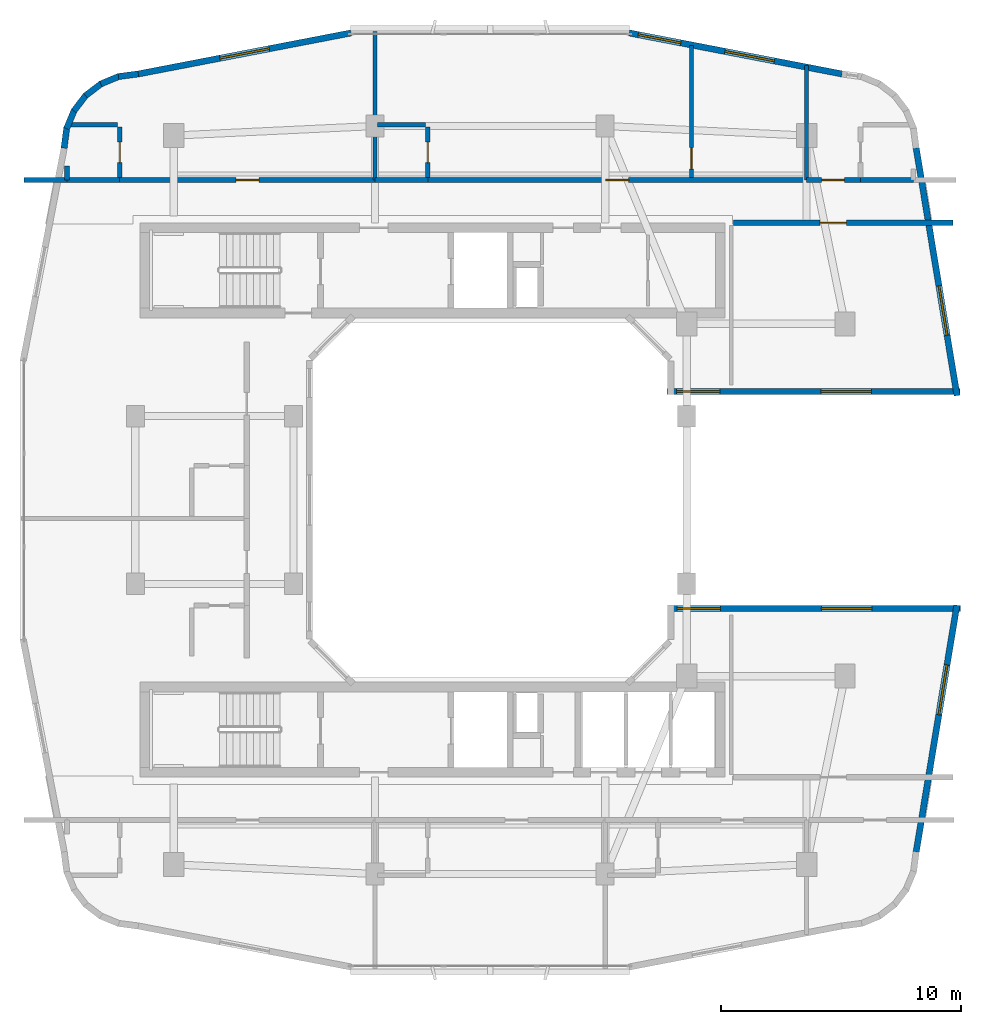
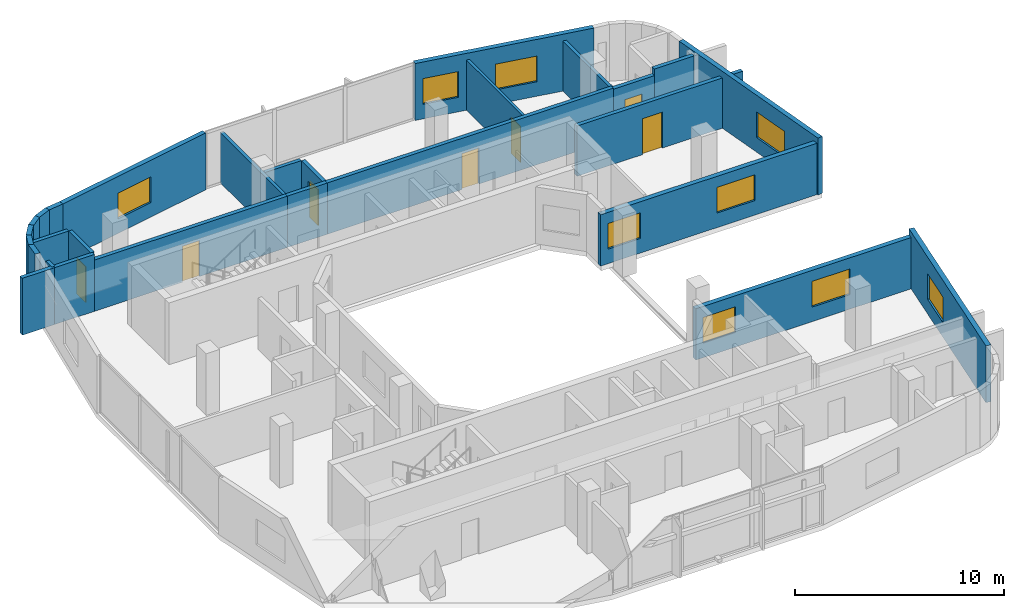
# One storey, part 7 of 12: 28 walls, 9 windows, 7 doors, 16 openings.
"""IFC4 building model written with IfcOpenShell, lengths in metres."""

from ifc_helpers import new_model, si_unit, derived_unit, direction, frame, frame_2d, origin, place, context, subcontext, project, spatial, rectangle, extrude, material, layer, layer_set, type_object, element, fill, save


model = new_model("IFC4")

# Units and contexts
model_context = context("Model", 3, precision=1e-05, world=origin(), true_north=direction((0.0, 1.0)))
body_context = subcontext(model_context, "Body", "Model", "MODEL_VIEW")
ifc_project = project(units=[si_unit("LENGTHUNIT", "METRE"), si_unit("AREAUNIT", "SQUARE_METRE"), si_unit("VOLUMEUNIT", "CUBIC_METRE"), si_unit("PLANEANGLEUNIT", "RADIAN"), si_unit("MASSUNIT", "GRAM", prefix="KILO"), derived_unit("THERMALTRANSMITTANCEUNIT", [(si_unit("POWERUNIT", "WATT"), 1), (si_unit("LENGTHUNIT", "METRE"), -2), (si_unit("THERMODYNAMICTEMPERATUREUNIT", "KELVIN"), -1)])], contexts=[model_context])

# Site, building, storey
site_placement = place(None, origin())
site = spatial("IfcSite", under=ifc_project, at=site_placement, CompositionType="ELEMENT")
building_placement = place(site_placement, origin())
building = spatial("IfcBuilding", under=site, at=building_placement, Name="Kivonza Crest Hotel", CompositionType="ELEMENT")
storey_placement = place(building_placement, frame((0.0, 0.0, 184.699951171875)))
storey = spatial("IfcBuildingStorey", under=building, at=storey_placement, Name="L50", CompositionType="ELEMENT", Elevation=184.699951171875)

# Walls
ifc_material_1 = material(Name="High-density acoustic masonry inter-tenancy wall", Category="masonry")
ifc_layer_1 = layer(ifc_material_1, 0.179931640625)
ifc_layer_set_1 = layer_set([ifc_layer_1], Name="High-density acoustic masonry inter-tenancy wall")
wall_type_1 = type_object("IfcWallType", Name="WL-ACOU-180", PredefinedType="SOLIDWALL", material=ifc_layer_set_1)
wall_1_placement = place(storey_placement, frame((16.199951171875, 38.35009765625, 0.0), z_axis=(0.0, 0.0, 1.0), x_axis=(0.0, 1.0, 0.0)))
element("IfcWall", 1, at=wall_1_placement, inside=storey, type_object=wall_type_1, Name="L50 interior partition WA-L50-T1N-DIV1", PredefinedType="SOLIDWALL", context=body_context, shape_type="SweptSolid", body=[
    extrude(rectangle(XDim=6.18994140625, YDim=0.179931640625, at=frame_2d((3.094970703125, 0.0))), origin(), (0.0, 0.0, 1.0), 2.93505859375),
])
wall_2_placement = place(storey_placement, frame((34.199951171875, 38.35009765625, 0.0), z_axis=(0.0, 0.0, 1.0), x_axis=(0.0, 1.0, 0.0)))
element("IfcWall", 2, at=wall_2_placement, inside=storey, type_object=wall_type_1, Name="L50 interior partition WA-L50-T1N-DIV2", PredefinedType="SOLIDWALL", context=body_context, shape_type="SweptSolid", body=[
    extrude(rectangle(XDim=4.77783203125, YDim=0.179931640625, at=frame_2d((2.388916015625, 0.0))), origin(), (0.0, 0.0, 1.0), 2.93505859375),
])
ifc_material_2 = material(Name="Autoclaved aerated concrete blockwork", Category="masonry")
ifc_layer_2 = layer(ifc_material_2, 0.219970703125)
ifc_layer_set_2 = layer_set([ifc_layer_2], Name="Autoclaved aerated concrete blockwork")
wall_type_2 = type_object("IfcWallType", Name="WL-ACOU-220", PredefinedType="SOLIDWALL", material=ifc_layer_set_2)
wall_3_placement = place(storey_placement, frame((1.56005859375, 38.35009765625, 0.0), z_axis=(0.0, 0.0, 1.0), x_axis=(1.0, 0.0, 0.0)))
element("IfcWall", 3, at=wall_3_placement, inside=storey, type_object=wall_type_2, Name="L50 interior partition WA-L50-N01-XCORR", PredefinedType="SOLIDWALL", context=body_context, shape_type="SweptSolid", body=[
    extrude(rectangle(XDim=1.7900390625, YDim=0.219970703125, at=frame_2d((0.89501953125, 0.0))), origin(), (0.0, 0.0, 1.0), 3.320068359375),
])
wall_4_placement = place(storey_placement, frame((3.35009765625, 38.35009765625, 0.0), z_axis=(0.0, 0.0, 1.0), x_axis=(1.0, 0.0, 0.0)))
element("IfcWall", 4, at=wall_4_placement, inside=storey, type_object=wall_type_2, Name="L50 interior partition WA-L50-N01-BCORR", PredefinedType="SOLIDWALL", context=body_context, shape_type="SweptSolid", body=[
    extrude(rectangle(XDim=2.199951171875, YDim=0.219970703125, at=frame_2d((1.10009765625, 0.0))), origin(), (0.0, 0.0, 1.0), 3.320068359375),
])

# Wall, opening, door
wall_5_placement = place(storey_placement, frame((5.550048828125, 38.35009765625, 0.0), z_axis=(0.0, 0.0, 1.0), x_axis=(1.0, 0.0, 0.0)))
wall_5 = element("IfcWall", 5, at=wall_5_placement, inside=storey, type_object=wall_type_2, Name="L50 interior partition WA-L50-N01-MCORR", PredefinedType="SOLIDWALL", context=body_context, shape_type="SweptSolid", body=[
    extrude(rectangle(XDim=10.64990234375, YDim=0.219970703125, at=frame_2d((5.324951171875, 0.0))), origin(), (0.0, 0.0, 1.0), 2.9951171875),
])
opening_1_placement = place(wall_5_placement, frame((4.85009765625, 0.0, 0.0)))
opening_1 = element("IfcOpeningElement", 6, at=opening_1_placement, cuts=wall_5, Name="Opening DU-60", PredefinedType="OPENING", context=body_context, shape_type="SweptSolid", body=[
    extrude(rectangle(XDim=0.949951171875, YDim=2.10009765625, at=frame_2d((0.47509765625, 1.050048828125))), frame((0.0, 0.1201171875, 0.0), z_axis=(0.0, -1.0, 0.0), x_axis=(1.0, 0.0, 0.0)), (0.0, 0.0, 1.0), 0.239990234375),
])
ifc_material_3 = material(Name="Hardwood timber oak", Category="wood")
door_type_1 = type_object("IfcDoorType", Name="DR-UNIT-950", OperationType="NOTDEFINED", PredefinedType="DOOR", material=ifc_material_3)
door_1_placement = place(opening_1_placement, origin())
door_1 = element("IfcDoor", 7, at=door_1_placement, inside=storey, type_object=door_type_1, Name="L50 N01 guest unit entrance fire door", OperationType="SINGLE_SWING_LEFT", OverallHeight=2.10009765625, OverallWidth=0.949951171875, PredefinedType="DOOR", context=body_context, shape_type="SweptSolid", body=[
    extrude(rectangle(XDim=0.949951171875, YDim=2.10009765625, at=frame_2d((0.47509765625, 1.050048828125))), frame((0.0, 0.02490234375, 0.0), z_axis=(0.0, -1.0, 0.0), x_axis=(1.0, 0.0, 0.0)), (0.0, 0.0, 1.0), 0.050048828125),
])
fill(opening_1, door_1)

# Wall
wall_6_placement = place(storey_placement, frame((16.199951171875, 38.35009765625, 0.0), z_axis=(0.0, 0.0, 1.0), x_axis=(1.0, 0.0, 0.0)))
element("IfcWall", 8, at=wall_6_placement, inside=storey, type_object=wall_type_2, Name="L50 interior partition WA-L50-N02-BCORR", PredefinedType="SOLIDWALL", context=body_context, shape_type="SweptSolid", body=[
    extrude(rectangle(XDim=2.199951171875, YDim=0.219970703125, at=frame_2d((1.10009765625, 0.0))), origin(), (0.0, 0.0, 1.0), 2.9951171875),
])

# Wall, opening, door
wall_7_placement = place(storey_placement, frame((18.39990234375, 38.35009765625, 0.0), z_axis=(0.0, 0.0, 1.0), x_axis=(1.0, 0.0, 0.0)))
wall_7 = element("IfcWall", 9, at=wall_7_placement, inside=storey, type_object=wall_type_2, Name="L50 interior partition WA-L50-N02-MCORR", PredefinedType="SOLIDWALL", context=body_context, shape_type="SweptSolid", body=[
    extrude(rectangle(XDim=15.800048828125, YDim=0.219970703125, at=frame_2d((7.89990234375, 0.0))), origin(), (0.0, 0.0, 1.0), 2.9951171875),
])
opening_2_placement = place(wall_7_placement, frame((7.425048828125, 0.0, 0.0)))
opening_2 = element("IfcOpeningElement", 10, at=opening_2_placement, cuts=wall_7, Name="Opening DU-60", PredefinedType="OPENING", context=body_context, shape_type="SweptSolid", body=[
    extrude(rectangle(XDim=0.949951171875, YDim=2.10009765625, at=frame_2d((0.47509765625, 1.050048828125))), frame((0.0, 0.1201171875, 0.0), z_axis=(0.0, -1.0, 0.0), x_axis=(1.0, 0.0, 0.0)), (0.0, 0.0, 1.0), 0.239990234375),
])
door_2_placement = place(opening_2_placement, origin())
door_2 = element("IfcDoor", 11, at=door_2_placement, inside=storey, type_object=door_type_1, Name="L50 N02 guest unit entrance fire door", OperationType="SINGLE_SWING_RIGHT", OverallHeight=2.10009765625, OverallWidth=0.949951171875, PredefinedType="DOOR", context=body_context, shape_type="SweptSolid", body=[
    extrude(rectangle(XDim=0.949951171875, YDim=2.10009765625, at=frame_2d((0.47509765625, 1.050048828125))), frame((0.0, 0.02490234375, 0.0), z_axis=(0.0, -1.0, 0.0), x_axis=(1.0, 0.0, 0.0)), (0.0, 0.0, 1.0), 0.050048828125),
])
fill(opening_2, door_2)

# Wall
wall_8_placement = place(storey_placement, frame((36.449951171875, 38.35009765625, 0.0), z_axis=(0.0, 0.0, 1.0), x_axis=(1.0, 0.0, 0.0)))
element("IfcWall", 12, at=wall_8_placement, inside=storey, type_object=wall_type_2, Name="L50 interior partition WA-L50-N03-BCORR", PredefinedType="SOLIDWALL", context=body_context, shape_type="SweptSolid", body=[
    extrude(rectangle(XDim=2.199951171875, YDim=0.219970703125, at=frame_2d((1.10009765625, 0.0))), origin(), (0.0, 0.0, 1.0), 3.320068359375),
])

# Wall, opening, door
wall_9_placement = place(storey_placement, frame((34.199951171875, 38.35009765625, 0.0), z_axis=(0.0, 0.0, 1.0), x_axis=(1.0, 0.0, 0.0)))
wall_9 = element("IfcWall", 13, at=wall_9_placement, inside=storey, type_object=wall_type_2, Name="L50 interior partition WA-L50-N03-MCORR", PredefinedType="SOLIDWALL", context=body_context, shape_type="SweptSolid", body=[
    extrude(rectangle(XDim=2.25, YDim=0.219970703125, at=frame_2d((1.125, 0.0))), origin(), (0.0, 0.0, 1.0), 2.93505859375),
])
opening_3_placement = place(wall_9_placement, frame((0.6298828125, 0.0, 0.0)))
opening_3 = element("IfcOpeningElement", 14, at=opening_3_placement, cuts=wall_9, Name="Opening DU-60", PredefinedType="OPENING", context=body_context, shape_type="SweptSolid", body=[
    extrude(rectangle(XDim=0.949951171875, YDim=2.10009765625, at=frame_2d((0.47509765625, 1.050048828125))), frame((0.0, 0.1201171875, 0.0), z_axis=(0.0, -1.0, 0.0), x_axis=(1.0, 0.0, 0.0)), (0.0, 0.0, 1.0), 0.239990234375),
])
door_3_placement = place(opening_3_placement, origin())
door_3 = element("IfcDoor", 15, at=door_3_placement, inside=storey, type_object=door_type_1, Name="L50 N03 guest unit entrance fire door", OperationType="SINGLE_SWING_LEFT", OverallHeight=2.10009765625, OverallWidth=0.949951171875, PredefinedType="DOOR", context=body_context, shape_type="SweptSolid", body=[
    extrude(rectangle(XDim=0.949951171875, YDim=2.10009765625, at=frame_2d((0.47509765625, 1.050048828125))), frame((0.0, 0.02490234375, 0.0), z_axis=(0.0, -1.0, 0.0), x_axis=(1.0, 0.0, 0.0)), (0.0, 0.0, 1.0), 0.050048828125),
])
fill(opening_3, door_3)

wall_10_placement = place(storey_placement, frame((31.14990234375, 36.56005859375, 0.0), z_axis=(0.0, 0.0, 1.0), x_axis=(1.0, 0.0, 0.0)))
wall_10 = element("IfcWall", 16, at=wall_10_placement, inside=storey, type_object=wall_type_2, Name="L50 interior partition WA-L50-EP2-N", PredefinedType="SOLIDWALL", context=body_context, shape_type="SweptSolid", body=[
    extrude(rectangle(XDim=9.150146484375, YDim=0.219970703125, at=frame_2d((4.5751953125, 0.0))), origin(), (0.0, 0.0, 1.0), 2.93505859375),
])
opening_4_placement = place(wall_10_placement, frame((3.612060546875, 0.0, 0.0)))
opening_4 = element("IfcOpeningElement", 17, at=opening_4_placement, cuts=wall_10, Name="Opening DF-60M", PredefinedType="OPENING", context=body_context, shape_type="SweptSolid", body=[
    extrude(rectangle(XDim=1.10009765625, YDim=2.10009765625, at=frame_2d((0.550048828125, 1.050048828125))), frame((0.0, 0.1201171875, 0.0), z_axis=(0.0, -1.0, 0.0), x_axis=(1.0, 0.0, 0.0)), (0.0, 0.0, 1.0), 0.239990234375),
])
door_type_2 = type_object("IfcDoorType", Name="DR-FD60-1100", OperationType="NOTDEFINED", PredefinedType="DOOR", material=ifc_material_3)
door_4_placement = place(opening_4_placement, frame((1.10009765625, 0.0, 0.0), z_axis=(0.0, 0.0, 1.0), x_axis=(-1.0, 0.0, 0.0)))
door_4 = element("IfcDoor", 18, at=door_4_placement, inside=storey, type_object=door_type_2, Name="L50 North Portal Sky Salon door", OperationType="SINGLE_SWING_LEFT", OverallHeight=2.10009765625, OverallWidth=1.10009765625, PredefinedType="DOOR", context=body_context, shape_type="SweptSolid", body=[
    extrude(rectangle(XDim=1.10009765625, YDim=2.10009765625, at=frame_2d((0.550048828125, 1.050048828125))), frame((0.0, 0.02490234375, 0.0), z_axis=(0.0, -1.0, 0.0), x_axis=(1.0, 0.0, 0.0)), (0.0, 0.0, 1.0), 0.050048828125),
])
fill(opening_4, door_4)

# Wall, opening, window
ifc_material_4 = material(Name="Precast concrete C40/50", Category="concrete")
ifc_layer_3 = layer(ifc_material_4, 0.260009765625)
ifc_layer_set_3 = layer_set([ifc_layer_3], Name="Precast concrete C40/50")
wall_type_3 = type_object("IfcWallType", Name="WL-EXT-260", PredefinedType="STANDARD", material=ifc_layer_set_3)
wall_11_placement = place(storey_placement, frame((38.77099609375, 10.31298828125, 0.0), z_axis=(0.0, 0.0, 1.0), x_axis=(0.16277908586, 0.986662540693, 0.0)))
wall_11 = element("IfcWall", 19, at=wall_11_placement, inside=storey, type_object=wall_type_3, Name="L50 T1 exterior insulated wall 16", PredefinedType="STANDARD", context=body_context, shape_type="SweptSolid", body=[
    extrude(rectangle(XDim=10.437255859375, YDim=0.260009765625, at=frame_2d((5.21875, 0.0))), origin(), (0.0, 0.0, 1.0), 3.320068359375),
])
opening_5_placement = place(wall_11_placement, frame((5.81005859375, 0.0, 0.85009765625)))
opening_5 = element("IfcOpeningElement", 20, at=opening_5_placement, cuts=wall_11, Name="Opening WN-04", PredefinedType="OPENING", context=body_context, shape_type="SweptSolid", body=[
    extrude(rectangle(XDim=2.10009765625, YDim=1.5, at=frame_2d((1.050048828125, 0.75))), frame((0.0, 0.14013671875, 0.0), z_axis=(0.0, -1.0, 0.0), x_axis=(1.0, 0.0, 0.0)), (0.0, 0.0, 1.0), 0.280029296875),
])
ifc_material_5 = material(Name="Thermally broken bronze aluminium and low-E double glazing", Category="aluminium")
window_type_1 = type_object("IfcWindowType", Name="WN-210x150", PartitioningType="DOUBLE_PANEL_VERTICAL", PredefinedType="WINDOW", material=ifc_material_5)
window_1_placement = place(opening_5_placement, origin())
window_1 = element("IfcWindow", 21, at=window_1_placement, inside=storey, type_object=window_type_1, Name="L50 T1 facade window 16", OverallHeight=1.5, OverallWidth=2.10009765625, PartitioningType="SINGLE_PANEL", PredefinedType="WINDOW", context=body_context, shape_type="SweptSolid", body=[
    extrude(rectangle(XDim=2.10009765625, YDim=1.5, at=frame_2d((1.050048828125, 0.75))), frame((0.0, 0.030029296875, 0.0), z_axis=(0.0, -1.0, 0.0), x_axis=(1.0, 0.0, 0.0)), (0.0, 0.0, 1.0), 0.06005859375),
])
fill(opening_5, window_1)

# Wall, openings, windows
wall_12_placement = place(storey_placement, frame((40.625, 20.469970703125, 0.0), z_axis=(0.0, 0.0, 1.0), x_axis=(-1.0, 0.0, 0.0)))
wall_12 = element("IfcWall", 22, at=wall_12_placement, inside=storey, type_object=wall_type_3, Name="L50 T1 exterior insulated wall 17", PredefinedType="STANDARD", context=body_context, shape_type="SweptSolid", body=[
    extrude(rectangle(XDim=12.215087890625, YDim=0.260009765625, at=frame_2d((6.107421875, 0.0))), origin(), (0.0, 0.0, 1.0), 2.9951171875),
])
opening_6_placement = place(wall_12_placement, frame((3.70703125, 0.0, 0.85009765625)))
opening_6 = element("IfcOpeningElement", 23, at=opening_6_placement, cuts=wall_12, Name="Opening WN-04", PredefinedType="OPENING", context=body_context, shape_type="SweptSolid", body=[
    extrude(rectangle(XDim=2.10009765625, YDim=1.5, at=frame_2d((1.050048828125, 0.75))), frame((0.0, 0.14013671875, 0.0), z_axis=(0.0, -1.0, 0.0), x_axis=(1.0, 0.0, 0.0)), (0.0, 0.0, 1.0), 0.280029296875),
])
opening_7_placement = place(wall_12_placement, frame((10.02490234375, 0.0, 0.85009765625)))
opening_7 = element("IfcOpeningElement", 24, at=opening_7_placement, cuts=wall_12, Name="Opening WN-03", PredefinedType="OPENING", context=body_context, shape_type="SweptSolid", body=[
    extrude(rectangle(XDim=1.800048828125, YDim=1.5, at=frame_2d((0.89990234375, 0.75))), frame((0.0, 0.14013671875, 0.0), z_axis=(0.0, -1.0, 0.0), x_axis=(1.0, 0.0, 0.0)), (0.0, 0.0, 1.0), 0.280029296875),
])
window_type_2 = type_object("IfcWindowType", Name="WN-180x150", PartitioningType="DOUBLE_PANEL_VERTICAL", PredefinedType="WINDOW", material=ifc_material_5)
window_2_placement = place(opening_7_placement, origin())
window_2 = element("IfcWindow", 25, at=window_2_placement, inside=storey, type_object=window_type_2, Name="L50 T1 facade window 17 bay 2", OverallHeight=1.5, OverallWidth=1.800048828125, PartitioningType="SINGLE_PANEL", PredefinedType="WINDOW", context=body_context, shape_type="SweptSolid", body=[
    extrude(rectangle(XDim=1.800048828125, YDim=1.5, at=frame_2d((0.89990234375, 0.75))), frame((0.0, 0.030029296875, 0.0), z_axis=(0.0, -1.0, 0.0), x_axis=(1.0, 0.0, 0.0)), (0.0, 0.0, 1.0), 0.06005859375),
])
fill(opening_7, window_2)
window_3_placement = place(opening_6_placement, origin())
window_3 = element("IfcWindow", 26, at=window_3_placement, inside=storey, type_object=window_type_1, Name="L50 T1 facade window 17 bay 1", OverallHeight=1.5, OverallWidth=2.10009765625, PartitioningType="SINGLE_PANEL", PredefinedType="WINDOW", context=body_context, shape_type="SweptSolid", body=[
    extrude(rectangle(XDim=2.10009765625, YDim=1.5, at=frame_2d((1.050048828125, 0.75))), frame((0.0, 0.030029296875, 0.0), z_axis=(0.0, -1.0, 0.0), x_axis=(1.0, 0.0, 0.0)), (0.0, 0.0, 1.0), 0.06005859375),
])
fill(opening_6, window_3)

wall_13_placement = place(storey_placement, frame((28.375, 29.530029296875, 0.0), z_axis=(0.0, 0.0, 1.0), x_axis=(1.0, 0.0, 0.0)))
wall_13 = element("IfcWall", 27, at=wall_13_placement, inside=storey, type_object=wall_type_3, Name="L50 T1 exterior insulated wall 27", PredefinedType="STANDARD", context=body_context, shape_type="SweptSolid", body=[
    extrude(rectangle(XDim=12.215087890625, YDim=0.260009765625, at=frame_2d((6.107421875, 0.0))), origin(), (0.0, 0.0, 1.0), 2.9951171875),
])
opening_8_placement = place(wall_13_placement, frame((0.407958984375, 0.0, 0.85009765625)))
opening_8 = element("IfcOpeningElement", 28, at=opening_8_placement, cuts=wall_13, Name="Opening WN-03", PredefinedType="OPENING", context=body_context, shape_type="SweptSolid", body=[
    extrude(rectangle(XDim=1.800048828125, YDim=1.5, at=frame_2d((0.89990234375, 0.75))), frame((0.0, 0.14013671875, 0.0), z_axis=(0.0, -1.0, 0.0), x_axis=(1.0, 0.0, 0.0)), (0.0, 0.0, 1.0), 0.280029296875),
])
opening_9_placement = place(wall_13_placement, frame((6.425048828125, 0.0, 0.85009765625)))
opening_9 = element("IfcOpeningElement", 29, at=opening_9_placement, cuts=wall_13, Name="Opening WN-04", PredefinedType="OPENING", context=body_context, shape_type="SweptSolid", body=[
    extrude(rectangle(XDim=2.10009765625, YDim=1.5, at=frame_2d((1.050048828125, 0.75))), frame((0.0, 0.14013671875, 0.0), z_axis=(0.0, -1.0, 0.0), x_axis=(1.0, 0.0, 0.0)), (0.0, 0.0, 1.0), 0.280029296875),
])
window_4_placement = place(opening_8_placement, origin())
window_4 = element("IfcWindow", 30, at=window_4_placement, inside=storey, type_object=window_type_2, Name="L50 T1 facade window 27 bay 1", OverallHeight=1.5, OverallWidth=1.800048828125, PartitioningType="SINGLE_PANEL", PredefinedType="WINDOW", context=body_context, shape_type="SweptSolid", body=[
    extrude(rectangle(XDim=1.800048828125, YDim=1.5, at=frame_2d((0.89990234375, 0.75))), frame((0.0, 0.030029296875, 0.0), z_axis=(0.0, -1.0, 0.0), x_axis=(1.0, 0.0, 0.0)), (0.0, 0.0, 1.0), 0.06005859375),
])
fill(opening_8, window_4)
window_5_placement = place(opening_9_placement, origin())
window_5 = element("IfcWindow", 31, at=window_5_placement, inside=storey, type_object=window_type_1, Name="L50 T1 facade window 27 bay 2", OverallHeight=1.5, OverallWidth=2.10009765625, PartitioningType="SINGLE_PANEL", PredefinedType="WINDOW", context=body_context, shape_type="SweptSolid", body=[
    extrude(rectangle(XDim=2.10009765625, YDim=1.5, at=frame_2d((1.050048828125, 0.75))), frame((0.0, 0.030029296875, 0.0), z_axis=(0.0, -1.0, 0.0), x_axis=(1.0, 0.0, 0.0)), (0.0, 0.0, 1.0), 0.06005859375),
])
fill(opening_9, window_5)

# Wall, opening, window
wall_14_placement = place(storey_placement, frame((40.47607421875, 29.35400390625, 0.0), z_axis=(0.0, 0.0, 1.0), x_axis=(-0.162811037825, 0.986657268742, 0.0)))
wall_14 = element("IfcWall", 32, at=wall_14_placement, inside=storey, type_object=wall_type_3, Name="L50 T1 exterior insulated wall 28", PredefinedType="STANDARD", context=body_context, shape_type="SweptSolid", body=[
    extrude(rectangle(XDim=10.47265625, YDim=0.260009765625, at=frame_2d((5.236328125, 0.0))), origin(), (0.0, 0.0, 1.0), 3.320068359375),
])
opening_10_placement = place(wall_14_placement, frame((2.544921875, 0.0, 0.85009765625)))
opening_10 = element("IfcOpeningElement", 33, at=opening_10_placement, cuts=wall_14, Name="Opening WN-04", PredefinedType="OPENING", context=body_context, shape_type="SweptSolid", body=[
    extrude(rectangle(XDim=2.10009765625, YDim=1.5, at=frame_2d((1.050048828125, 0.75))), frame((0.0, 0.14013671875, 0.0), z_axis=(0.0, -1.0, 0.0), x_axis=(1.0, 0.0, 0.0)), (0.0, 0.0, 1.0), 0.280029296875),
])
window_6_placement = place(opening_10_placement, origin())
window_6 = element("IfcWindow", 34, at=window_6_placement, inside=storey, type_object=window_type_1, Name="L50 T1 facade window 28", OverallHeight=1.5, OverallWidth=2.10009765625, PartitioningType="SINGLE_PANEL", PredefinedType="WINDOW", context=body_context, shape_type="SweptSolid", body=[
    extrude(rectangle(XDim=2.10009765625, YDim=1.5, at=frame_2d((1.050048828125, 0.75))), frame((0.0, 0.030029296875, 0.0), z_axis=(0.0, -1.0, 0.0), x_axis=(1.0, 0.0, 0.0)), (0.0, 0.0, 1.0), 0.06005859375),
])
fill(opening_10, window_6)

# Wall, openings, windows
wall_15_placement = place(storey_placement, frame((35.68310546875, 42.77001953125, 0.0), z_axis=(0.0, 0.0, 1.0), x_axis=(-0.98192801022, 0.189254809039, 0.0)))
wall_15 = element("IfcWall", 35, at=wall_15_placement, inside=storey, type_object=wall_type_3, Name="L50 T1 exterior insulated wall 35", PredefinedType="STANDARD", context=body_context, shape_type="SweptSolid", body=[
    extrude(rectangle(XDim=9.045654296875, YDim=0.260009765625, at=frame_2d((4.52294921875, 0.0))), origin(), (0.0, 0.0, 1.0), 3.320068359375),
])
opening_11_placement = place(wall_15_placement, frame((2.8798828125, 0.0, 0.85009765625)))
opening_11 = element("IfcOpeningElement", 36, at=opening_11_placement, cuts=wall_15, Name="Opening WN-04", PredefinedType="OPENING", context=body_context, shape_type="SweptSolid", body=[
    extrude(rectangle(XDim=2.10009765625, YDim=1.5, at=frame_2d((1.050048828125, 0.75))), frame((0.0, 0.14013671875, 0.0), z_axis=(0.0, -1.0, 0.0), x_axis=(1.0, 0.0, 0.0)), (0.0, 0.0, 1.0), 0.280029296875),
])
opening_12_placement = place(wall_15_placement, frame((6.85888671875, 0.0, 0.85009765625)))
opening_12 = element("IfcOpeningElement", 37, at=opening_12_placement, cuts=wall_15, Name="Opening WN-03", PredefinedType="OPENING", context=body_context, shape_type="SweptSolid", body=[
    extrude(rectangle(XDim=1.800048828125, YDim=1.5, at=frame_2d((0.89990234375, 0.75))), frame((0.0, 0.14013671875, 0.0), z_axis=(0.0, -1.0, 0.0), x_axis=(1.0, 0.0, 0.0)), (0.0, 0.0, 1.0), 0.280029296875),
])
window_7_placement = place(opening_12_placement, origin())
window_7 = element("IfcWindow", 38, at=window_7_placement, inside=storey, type_object=window_type_2, Name="L50 T1 facade window 35 bay 2", OverallHeight=1.5, OverallWidth=1.800048828125, PartitioningType="SINGLE_PANEL", PredefinedType="WINDOW", context=body_context, shape_type="SweptSolid", body=[
    extrude(rectangle(XDim=1.800048828125, YDim=1.5, at=frame_2d((0.89990234375, 0.75))), frame((0.0, 0.030029296875, 0.0), z_axis=(0.0, -1.0, 0.0), x_axis=(1.0, 0.0, 0.0)), (0.0, 0.0, 1.0), 0.06005859375),
])
fill(opening_12, window_7)
window_8_placement = place(opening_11_placement, origin())
window_8 = element("IfcWindow", 39, at=window_8_placement, inside=storey, type_object=window_type_1, Name="L50 T1 facade window 35 bay 1", OverallHeight=1.5, OverallWidth=2.10009765625, PartitioningType="SINGLE_PANEL", PredefinedType="WINDOW", context=body_context, shape_type="SweptSolid", body=[
    extrude(rectangle(XDim=2.10009765625, YDim=1.5, at=frame_2d((1.050048828125, 0.75))), frame((0.0, 0.030029296875, 0.0), z_axis=(0.0, -1.0, 0.0), x_axis=(1.0, 0.0, 0.0)), (0.0, 0.0, 1.0), 0.06005859375),
])
fill(opening_11, window_8)

# Wall, opening, window
wall_16_placement = place(storey_placement, frame((15.198974609375, 44.48193359375, 0.0), z_axis=(0.0, 0.0, 1.0), x_axis=(-0.98192801022, -0.189254809039, 0.0)))
wall_16 = element("IfcWall", 40, at=wall_16_placement, inside=storey, type_object=wall_type_3, Name="L50 T1 exterior insulated wall 37", PredefinedType="STANDARD", context=body_context, shape_type="SweptSolid", body=[
    extrude(rectangle(XDim=9.045654296875, YDim=0.260009765625, at=frame_2d((4.52294921875, 0.0))), origin(), (0.0, 0.0, 1.0), 3.320068359375),
])
opening_13_placement = place(wall_16_placement, frame((3.472900390625, 0.0, 0.85009765625)))
opening_13 = element("IfcOpeningElement", 41, at=opening_13_placement, cuts=wall_16, Name="Opening WN-04", PredefinedType="OPENING", context=body_context, shape_type="SweptSolid", body=[
    extrude(rectangle(XDim=2.10009765625, YDim=1.5, at=frame_2d((1.050048828125, 0.75))), frame((0.0, 0.14013671875, 0.0), z_axis=(0.0, -1.0, 0.0), x_axis=(1.0, 0.0, 0.0)), (0.0, 0.0, 1.0), 0.280029296875),
])
window_9_placement = place(opening_13_placement, origin())
window_9 = element("IfcWindow", 42, at=window_9_placement, inside=storey, type_object=window_type_1, Name="L50 T1 facade window 37", OverallHeight=1.5, OverallWidth=2.10009765625, PartitioningType="SINGLE_PANEL", PredefinedType="WINDOW", context=body_context, shape_type="SweptSolid", body=[
    extrude(rectangle(XDim=2.10009765625, YDim=1.5, at=frame_2d((1.050048828125, 0.75))), frame((0.0, 0.030029296875, 0.0), z_axis=(0.0, -1.0, 0.0), x_axis=(1.0, 0.0, 0.0)), (0.0, 0.0, 1.0), 0.06005859375),
])
fill(opening_13, window_9)

# Walls
wall_17_placement = place(storey_placement, frame((6.324951171875, 42.77197265625, 0.0), z_axis=(0.0, 0.0, 1.0), x_axis=(-0.99142134712, -0.130704676564, 0.0)))
element("IfcWall", 43, at=wall_17_placement, inside=storey, type_object=wall_type_3, Name="L50 T1 exterior insulated wall 38", PredefinedType="STANDARD", context=body_context, shape_type="SweptSolid", body=[
    extrude(rectangle(XDim=0.8330078125, YDim=0.260009765625, at=frame_2d((0.41650390625, 0.0))), origin(), (0.0, 0.0, 1.0), 3.320068359375),
])
wall_18_placement = place(storey_placement, frame((5.544921875, 42.680908203125, 0.0), z_axis=(0.0, 0.0, 1.0), x_axis=(-0.923712395518, -0.383086687796, 0.0)))
element("IfcWall", 44, at=wall_18_placement, inside=storey, type_object=wall_type_3, Name="L50 T1 exterior insulated wall 39", PredefinedType="STANDARD", context=body_context, shape_type="SweptSolid", body=[
    extrude(rectangle(XDim=0.850830078125, YDim=0.260009765625, at=frame_2d((0.42529296875, 0.0))), origin(), (0.0, 0.0, 1.0), 3.320068359375),
])
for number, where, z_axis, x_axis, name in (
    (45, (4.799072265625, 42.383056640625, 0.0), (0.0, 0.0, 1.0), (-0.793860452124, -0.608099977432, 0.0), "L50 T1 exterior insulated wall 40"),
    (46, (4.155029296875, 41.904052734375, 0.0), (0.0, 0.0, 1.0), (-0.608099977432, -0.793860452124, 0.0), "L50 T1 exterior insulated wall 41"),
):
    element("IfcWall", number, at=place(storey_placement, frame(where, z_axis=z_axis, x_axis=x_axis)), inside=storey, type_object=wall_type_3, Name=name, PredefinedType="STANDARD", context=body_context, shape_type="SweptSolid", body=[
        extrude(rectangle(XDim=0.850341796875, YDim=0.260009765625, at=frame_2d((0.42529296875, 0.0))), origin(), (0.0, 0.0, 1.0), 3.320068359375),
    ])
wall_19_placement = place(storey_placement, frame((3.658935546875, 41.27294921875, 0.0), z_axis=(0.0, 0.0, 1.0), x_axis=(-0.383086687796, -0.923712395518, 0.0)))
element("IfcWall", 47, at=wall_19_placement, inside=storey, type_object=wall_type_3, Name="L50 T1 exterior insulated wall 42", PredefinedType="STANDARD", context=body_context, shape_type="SweptSolid", body=[
    extrude(rectangle(XDim=0.850830078125, YDim=0.260009765625, at=frame_2d((0.42529296875, 0.0))), origin(), (0.0, 0.0, 1.0), 3.320068359375),
])
wall_20_placement = place(storey_placement, frame((3.341064453125, 40.535888671875, 0.0), z_axis=(0.0, 0.0, 1.0), x_axis=(-0.130192647656, -0.991488716273, 0.0)))
element("IfcWall", 48, at=wall_20_placement, inside=storey, type_object=wall_type_3, Name="L50 T1 exterior insulated wall 43", PredefinedType="STANDARD", context=body_context, shape_type="SweptSolid", body=[
    extrude(rectangle(XDim=0.8681640625, YDim=0.260009765625, at=frame_2d((0.43408203125, 0.0))), origin(), (0.0, 0.0, 1.0), 3.320068359375),
])

# Wall, opening, door
ifc_material_6 = material(Name="Twin-stud acoustic gypsum board partition", Category="gypsum")
ifc_layer_4 = layer(ifc_material_6, 0.14990234375)
ifc_layer_set_4 = layer_set([ifc_layer_4], Name="Twin-stud acoustic gypsum board partition")
wall_type_4 = type_object("IfcWallType", Name="WL-PART-150", PredefinedType="PARTITIONING", material=ifc_layer_set_4)
wall_21_placement = place(storey_placement, frame((29.39990234375, 38.449951171875, 0.0), z_axis=(0.0, 0.0, 1.0), x_axis=(0.0, 1.0, 0.0)))
wall_21 = element("IfcWall", 49, at=wall_21_placement, inside=storey, type_object=wall_type_4, Name="L50 interior partition WP-L50-N02-SPSP", PredefinedType="PARTITIONING", context=body_context, shape_type="SweptSolid", body=[
    extrude(rectangle(XDim=5.5029296875, YDim=0.14990234375, at=frame_2d((2.75146484375, 0.0))), origin(), (0.0, 0.0, 1.0), 2.93505859375),
])
opening_14_placement = place(wall_21_placement, frame((0.35009765625, 0.0, 0.0)))
opening_14 = element("IfcOpeningElement", 50, at=opening_14_placement, cuts=wall_21, Name="Opening DI-90", PredefinedType="OPENING", context=body_context, shape_type="SweptSolid", body=[
    extrude(rectangle(XDim=0.89990234375, YDim=2.10009765625, at=frame_2d((0.449951171875, 1.050048828125))), frame((0.0, 0.0849609375, 0.0), z_axis=(0.0, -1.0, 0.0), x_axis=(1.0, 0.0, 0.0)), (0.0, 0.0, 1.0), 0.169921875),
])
door_type_3 = type_object("IfcDoorType", Name="DR-INT-900", OperationType="NOTDEFINED", PredefinedType="DOOR", material=ifc_material_3)
door_5_placement = place(opening_14_placement, origin())
door_5 = element("IfcDoor", 51, at=door_5_placement, inside=storey, type_object=door_type_3, Name="L50 N02 suite bedroom door", OperationType="SINGLE_SWING_LEFT", OverallHeight=2.10009765625, OverallWidth=0.89990234375, PredefinedType="DOOR", context=body_context, shape_type="SweptSolid", body=[
    extrude(rectangle(XDim=0.89990234375, YDim=2.10009765625, at=frame_2d((0.449951171875, 1.050048828125))), frame((0.0, 0.02490234375, 0.0), z_axis=(0.0, -1.0, 0.0), x_axis=(1.0, 0.0, 0.0)), (0.0, 0.0, 1.0), 0.050048828125),
])
fill(opening_14, door_5)

ifc_material_7 = material(Name="Moisture-resistant plumbing chase partition wall", Category="gypsum")
ifc_layer_5 = layer(ifc_material_7, 0.199951171875)
ifc_layer_set_5 = layer_set([ifc_layer_5], Name="Moisture-resistant plumbing chase partition wall")
wall_type_5 = type_object("IfcWallType", Name="WL-PLUMB-200", PredefinedType="PLUMBINGWALL", material=ifc_layer_set_5)
wall_22_placement = place(storey_placement, frame((5.550048828125, 38.449951171875, 0.0), z_axis=(0.0, 0.0, 1.0), x_axis=(0.0, 1.0, 0.0)))
wall_22 = element("IfcWall", 52, at=wall_22_placement, inside=storey, type_object=wall_type_5, Name="L50 interior partition WW-L50-N01-BV", PredefinedType="PLUMBINGWALL", context=body_context, shape_type="SweptSolid", body=[
    extrude(rectangle(XDim=2.10009765625, YDim=0.199951171875, at=frame_2d((1.050048828125, 0.0))), origin(), (0.0, 0.0, 1.0), 3.320068359375),
])
opening_15_placement = place(wall_22_placement, frame((0.625, 0.0, 0.0)))
opening_15 = element("IfcOpeningElement", 53, at=opening_15_placement, cuts=wall_22, Name="Opening DI-85", PredefinedType="OPENING", context=body_context, shape_type="SweptSolid", body=[
    extrude(rectangle(XDim=0.85009765625, YDim=2.10009765625, at=frame_2d((0.425048828125, 1.050048828125))), frame((0.0, 0.10986328125, 0.0), z_axis=(0.0, -1.0, 0.0), x_axis=(1.0, 0.0, 0.0)), (0.0, 0.0, 1.0), 0.219970703125),
])
door_type_4 = type_object("IfcDoorType", Name="DR-INT-850", OperationType="NOTDEFINED", PredefinedType="DOOR", material=ifc_material_3)
door_6_placement = place(opening_15_placement, frame((0.85009765625, 0.0, 0.0), z_axis=(0.0, 0.0, 1.0), x_axis=(-1.0, 0.0, 0.0)))
door_6 = element("IfcDoor", 54, at=door_6_placement, inside=storey, type_object=door_type_4, Name="L50 N01 en-suite bathroom door", OperationType="SINGLE_SWING_RIGHT", OverallHeight=2.10009765625, OverallWidth=0.85009765625, PredefinedType="DOOR", context=body_context, shape_type="SweptSolid", body=[
    extrude(rectangle(XDim=0.85009765625, YDim=2.10009765625, at=frame_2d((0.425048828125, 1.050048828125))), frame((0.0, 0.02490234375, 0.0), z_axis=(0.0, -1.0, 0.0), x_axis=(1.0, 0.0, 0.0)), (0.0, 0.0, 1.0), 0.050048828125),
])
fill(opening_15, door_6)

# Walls
wall_23_placement = place(storey_placement, frame((3.449951171875, 40.64990234375, 0.0), z_axis=(0.0, 0.0, 1.0), x_axis=(1.0, 0.0, 0.0)))
element("IfcWall", 55, at=wall_23_placement, inside=storey, type_object=wall_type_5, Name="L50 interior partition WW-L50-N01-BH", PredefinedType="PLUMBINGWALL", context=body_context, shape_type="SweptSolid", body=[
    extrude(rectangle(XDim=2.0, YDim=0.199951171875, at=frame_2d((1.0, 0.0))), origin(), (0.0, 0.0, 1.0), 3.320068359375),
])
wall_24_placement = place(storey_placement, frame((3.35009765625, 38.35009765625, 0.0), z_axis=(0.0, 0.0, 1.0), x_axis=(0.0, 1.0, 0.0)))
element("IfcWall", 56, at=wall_24_placement, inside=storey, type_object=wall_type_5, Name="L50 interior partition WW-L50-N01-BVW", PredefinedType="PLUMBINGWALL", context=body_context, shape_type="SweptSolid", body=[
    extrude(rectangle(XDim=0.576904296875, YDim=0.199951171875, at=frame_2d((0.28857421875, 0.0))), origin(), (0.0, 0.0, 1.0), 3.320068359375),
])

# Wall, opening, door
wall_25_placement = place(storey_placement, frame((18.39990234375, 38.449951171875, 0.0), z_axis=(0.0, 0.0, 1.0), x_axis=(0.0, 1.0, 0.0)))
wall_25 = element("IfcWall", 57, at=wall_25_placement, inside=storey, type_object=wall_type_5, Name="L50 interior partition WW-L50-N02-BV", PredefinedType="PLUMBINGWALL", context=body_context, shape_type="SweptSolid", body=[
    extrude(rectangle(XDim=2.10009765625, YDim=0.199951171875, at=frame_2d((1.050048828125, 0.0))), origin(), (0.0, 0.0, 1.0), 2.93505859375),
])
opening_16_placement = place(wall_25_placement, frame((0.625, 0.0, 0.0)))
opening_16 = element("IfcOpeningElement", 58, at=opening_16_placement, cuts=wall_25, Name="Opening DI-85", PredefinedType="OPENING", context=body_context, shape_type="SweptSolid", body=[
    extrude(rectangle(XDim=0.85009765625, YDim=2.10009765625, at=frame_2d((0.425048828125, 1.050048828125))), frame((0.0, 0.10986328125, 0.0), z_axis=(0.0, -1.0, 0.0), x_axis=(1.0, 0.0, 0.0)), (0.0, 0.0, 1.0), 0.219970703125),
])
door_7_placement = place(opening_16_placement, frame((0.85009765625, 0.0, 0.0), z_axis=(0.0, 0.0, 1.0), x_axis=(-1.0, 0.0, 0.0)))
door_7 = element("IfcDoor", 59, at=door_7_placement, inside=storey, type_object=door_type_4, Name="L50 N02 en-suite bathroom door", OperationType="SINGLE_SWING_LEFT", OverallHeight=2.10009765625, OverallWidth=0.85009765625, PredefinedType="DOOR", context=body_context, shape_type="SweptSolid", body=[
    extrude(rectangle(XDim=0.85009765625, YDim=2.10009765625, at=frame_2d((0.425048828125, 1.050048828125))), frame((0.0, 0.02490234375, 0.0), z_axis=(0.0, -1.0, 0.0), x_axis=(1.0, 0.0, 0.0)), (0.0, 0.0, 1.0), 0.050048828125),
])
fill(opening_16, door_7)

# Wall
wall_26_placement = place(storey_placement, frame((16.300048828125, 40.64990234375, 0.0), z_axis=(0.0, 0.0, 1.0), x_axis=(1.0, 0.0, 0.0)))
element("IfcWall", 60, at=wall_26_placement, inside=storey, type_object=wall_type_5, Name="L50 interior partition WW-L50-N02-BH", PredefinedType="PLUMBINGWALL", context=body_context, shape_type="SweptSolid", body=[
    extrude(rectangle(XDim=2.0, YDim=0.199951171875, at=frame_2d((1.0, 0.0))), origin(), (0.0, 0.0, 1.0), 2.93505859375),
])

save(model, "model.ifc")
